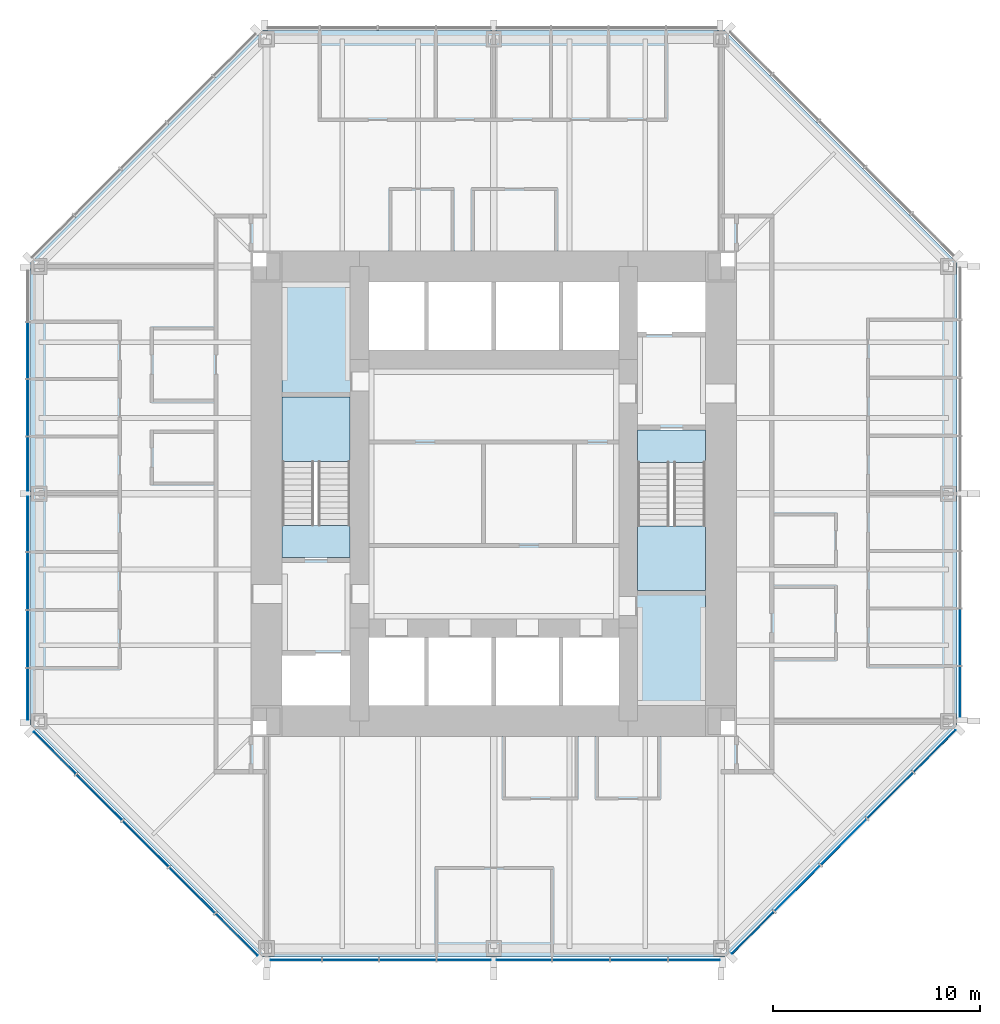
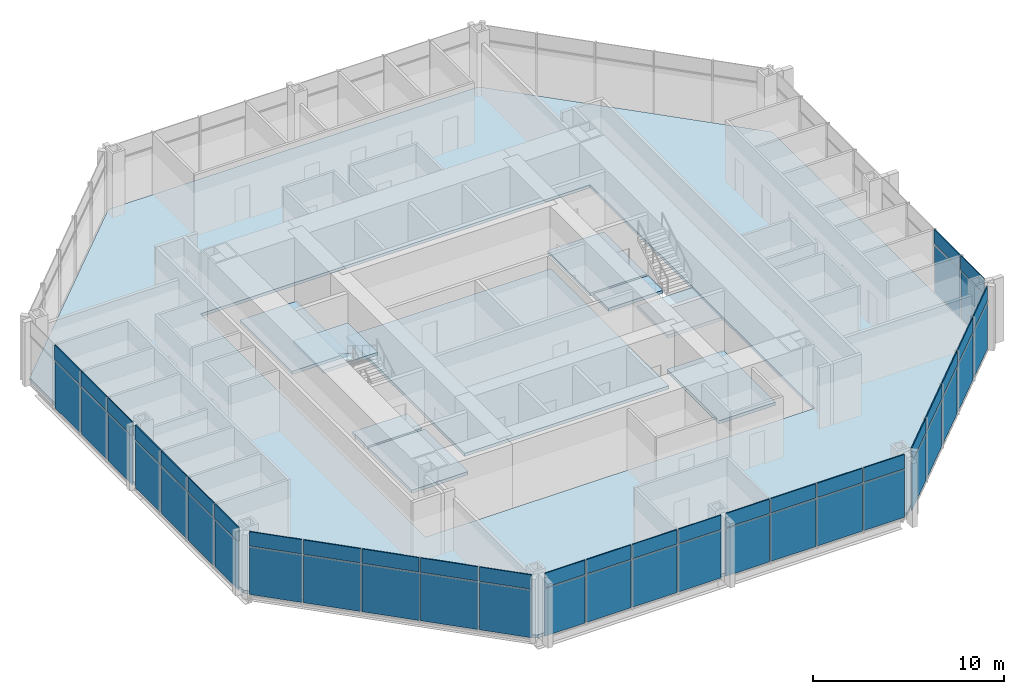
# One storey, part 7 of 14: 54 plates, 10 slabs, 7 elements without a shape of their own.
"""IFC4 building model written with IfcOpenShell, lengths in metres."""

from ifc_helpers import new_model, si_unit, direction, frame, origin, origin_2d, place, context, subcontext, project, spatial, polyline, rectangle, outline, extrude, material, layer, layer_set, type_object, element, aggregate, save


model = new_model("IFC4")

# Units and contexts
model_context = context("Model", 3, precision=1e-05, world=origin(), true_north=direction((0.0, 1.0)))
body_context = subcontext(model_context, "Body", "Model", "MODEL_VIEW")
ifc_project = project(units=[si_unit("LENGTHUNIT", "METRE"), si_unit("AREAUNIT", "SQUARE_METRE"), si_unit("VOLUMEUNIT", "CUBIC_METRE"), si_unit("PLANEANGLEUNIT", "RADIAN"), si_unit("MASSUNIT", "GRAM", prefix="KILO")], contexts=[model_context])

# Site, building, storey
site_placement = place(None, origin())
site = spatial("IfcSite", under=ifc_project, at=site_placement, CompositionType="ELEMENT")
building_placement = place(site_placement, origin())
building = spatial("IfcBuilding", under=site, at=building_placement, Name="Trevanion Tower", CompositionType="ELEMENT")
storey_placement = place(building_placement, frame((0.0, 0.0, 104.89990234375)))
storey = spatial("IfcBuildingStorey", under=building, at=storey_placement, Name="L24", CompositionType="ELEMENT", Elevation=104.89990234375)

# Curtain wall, plates
ifc_material_1 = material(Name="Aluminium and glass", Category="aluminium")
curtain_wall_type = type_object("IfcCurtainWallType", Name="CW2 curtain wall", PredefinedType="USERDEFINED", material=ifc_material_1)
curtain_wall_1_placement = place(storey_placement, origin())
curtain_wall_1 = element("IfcCurtainWall", 1, at=curtain_wall_1_placement, inside=storey, type_object=curtain_wall_type, Name="CW2 L24 0", ObjectType="UNITISED CURTAIN WALL", PredefinedType="USERDEFINED")
ifc_material_2 = material(Name="Aluminium spandrel panel", Category="aluminium")
ifc_layer_1 = layer(ifc_material_2, 0.06005859375)
ifc_layer_set_1 = layer_set([ifc_layer_1], Name="CW2 spandrel panel")
plate_type_1 = type_object("IfcPlateType", Name="CW2 spandrel panel", PredefinedType="CURTAIN_PANEL", material=ifc_layer_set_1)
plate_1_placement = place(storey_placement, frame((22.550048828125, -9.579345703125, 2.99755859375), z_axis=(0.0, 0.0, 1.0), x_axis=(0.0, 1.0, 0.0)))
plate_1 = element("IfcPlate", 2, at=plate_1_placement, type_object=plate_type_1, Name="CW2 panel 1.2", PredefinedType="CURTAIN_PANEL", context=body_context, shape_type="SweptSolid", body=[
    extrude(rectangle(XDim=2.43701171875, YDim=0.06005859375, at=origin_2d()), origin(), (0.0, 0.0, 1.0), 0.91259765625),
])
plate_2_placement = place(storey_placement, frame((22.550048828125, -6.93603515625, 2.99755859375), z_axis=(0.0, 0.0, 1.0), x_axis=(0.0, 1.0, 0.0)))
plate_2 = element("IfcPlate", 3, at=plate_2_placement, type_object=plate_type_1, Name="CW2 panel 2.2", PredefinedType="CURTAIN_PANEL", context=body_context, shape_type="SweptSolid", body=[
    extrude(rectangle(XDim=2.699462890625, YDim=0.06005859375, at=origin_2d()), origin(), (0.0, 0.0, 1.0), 0.91259765625),
])

curtain_wall_2_placement = place(storey_placement, origin())
curtain_wall_2 = element("IfcCurtainWall", 4, at=curtain_wall_2_placement, inside=storey, type_object=curtain_wall_type, Name="CW2 L24 4", ObjectType="UNITISED CURTAIN WALL", PredefinedType="USERDEFINED")
plate_3_placement = place(storey_placement, frame((-22.550048828125, 6.93603515625, 2.99755859375), z_axis=(0.0, 0.0, 1.0), x_axis=(0.0, -1.0, 0.0)))
plate_3 = element("IfcPlate", 5, at=plate_3_placement, type_object=plate_type_1, Name="CW2 panel 2.2", PredefinedType="CURTAIN_PANEL", context=body_context, shape_type="SweptSolid", body=[
    extrude(rectangle(XDim=2.699462890625, YDim=0.06005859375, at=origin_2d()), origin(), (0.0, 0.0, 1.0), 0.91259765625),
])
plate_4_placement = place(storey_placement, frame((-22.550048828125, 4.16162109375, 2.99755859375), z_axis=(0.0, 0.0, 1.0), x_axis=(0.0, -1.0, 0.0)))
plate_4 = element("IfcPlate", 6, at=plate_4_placement, type_object=plate_type_1, Name="CW2 panel 3.2", PredefinedType="CURTAIN_PANEL", context=body_context, shape_type="SweptSolid", body=[
    extrude(rectangle(XDim=2.699462890625, YDim=0.06005859375, at=origin_2d()), origin(), (0.0, 0.0, 1.0), 0.91259765625),
])
plate_5_placement = place(storey_placement, frame((-22.550048828125, 1.443603515625, 2.99755859375), z_axis=(0.0, 0.0, 1.0), x_axis=(0.0, -1.0, 0.0)))
plate_5 = element("IfcPlate", 7, at=plate_5_placement, type_object=plate_type_1, Name="CW2 panel 4.2", PredefinedType="CURTAIN_PANEL", context=body_context, shape_type="SweptSolid", body=[
    extrude(rectangle(XDim=2.5869140625, YDim=0.06005859375, at=origin_2d()), origin(), (0.0, 0.0, 1.0), 0.91259765625),
])
plate_6_placement = place(storey_placement, frame((-22.550048828125, -1.459716796875, 2.99755859375), z_axis=(0.0, 0.0, 1.0), x_axis=(0.0, -1.0, 0.0)))
plate_6 = element("IfcPlate", 8, at=plate_6_placement, type_object=plate_type_1, Name="CW2 panel 5.2", PredefinedType="CURTAIN_PANEL", context=body_context, shape_type="SweptSolid", body=[
    extrude(rectangle(XDim=2.619384765625, YDim=0.06005859375, at=origin_2d()), origin(), (0.0, 0.0, 1.0), 0.91259765625),
])
plate_7_placement = place(storey_placement, frame((-22.550048828125, -4.21044921875, 2.99755859375), z_axis=(0.0, 0.0, 1.0), x_axis=(0.0, -1.0, 0.0)))
plate_7 = element("IfcPlate", 9, at=plate_7_placement, type_object=plate_type_1, Name="CW2 panel 6.2", PredefinedType="CURTAIN_PANEL", context=body_context, shape_type="SweptSolid", body=[
    extrude(rectangle(XDim=2.73193359375, YDim=0.06005859375, at=origin_2d()), origin(), (0.0, 0.0, 1.0), 0.91259765625),
])
plate_8_placement = place(storey_placement, frame((-22.550048828125, -7.017333984375, 2.99755859375), z_axis=(0.0, 0.0, 1.0), x_axis=(0.0, -1.0, 0.0)))
plate_8 = element("IfcPlate", 10, at=plate_8_placement, type_object=plate_type_1, Name="CW2 panel 7.2", PredefinedType="CURTAIN_PANEL", context=body_context, shape_type="SweptSolid", body=[
    extrude(rectangle(XDim=2.73193359375, YDim=0.06005859375, at=origin_2d()), origin(), (0.0, 0.0, 1.0), 0.91259765625),
])
plate_9_placement = place(storey_placement, frame((-22.550048828125, -9.693115234375, 2.99755859375), z_axis=(0.0, 0.0, 1.0), x_axis=(0.0, -1.0, 0.0)))
plate_9 = element("IfcPlate", 11, at=plate_9_placement, type_object=plate_type_1, Name="CW2 panel 8.2", PredefinedType="CURTAIN_PANEL", context=body_context, shape_type="SweptSolid", body=[
    extrude(rectangle(XDim=2.469482421875, YDim=0.06005859375, at=origin_2d()), origin(), (0.0, 0.0, 1.0), 0.91259765625),
])

curtain_wall_3_placement = place(storey_placement, origin())
curtain_wall_3 = element("IfcCurtainWall", 12, at=curtain_wall_3_placement, inside=storey, type_object=curtain_wall_type, Name="CW2 L24 5", ObjectType="UNITISED CURTAIN WALL", PredefinedType="USERDEFINED")
plate_10_placement = place(storey_placement, frame((-21.2421875, -12.53564453125, 2.99755859375), z_axis=(0.0, 0.0, 1.0), x_axis=(0.707106781187, -0.707106781187, 0.0)))
plate_10 = element("IfcPlate", 13, at=plate_10_placement, type_object=plate_type_1, Name="CW2 panel 1.2", PredefinedType="CURTAIN_PANEL", context=body_context, shape_type="SweptSolid", body=[
    extrude(rectangle(XDim=2.8388671875, YDim=0.06005859375, at=origin_2d()), origin(), (0.0, 0.0, 1.0), 0.91259765625),
])
plate_11_placement = place(storey_placement, frame((-19.089111328125, -14.688720703125, 2.99755859375), z_axis=(0.0, 0.0, 1.0), x_axis=(0.707106781187, -0.707106781187, 0.0)))
plate_11 = element("IfcPlate", 14, at=plate_11_placement, type_object=plate_type_1, Name="CW2 panel 2.2", PredefinedType="CURTAIN_PANEL", context=body_context, shape_type="SweptSolid", body=[
    extrude(rectangle(XDim=3.101318359375, YDim=0.06005859375, at=origin_2d()), origin(), (0.0, 0.0, 1.0), 0.91259765625),
])
plate_12_placement = place(storey_placement, frame((-16.843017578125, -16.934814453125, 2.99755859375), z_axis=(0.0, 0.0, 1.0), x_axis=(0.707106781187, -0.707106781187, 0.0)))
plate_12 = element("IfcPlate", 15, at=plate_12_placement, type_object=plate_type_1, Name="CW2 panel 3.2", PredefinedType="CURTAIN_PANEL", context=body_context, shape_type="SweptSolid", body=[
    extrude(rectangle(XDim=3.101318359375, YDim=0.06005859375, at=origin_2d()), origin(), (0.0, 0.0, 1.0), 0.91259765625),
])
plate_13_placement = place(storey_placement, frame((-14.596923828125, -19.180908203125, 2.99755859375), z_axis=(0.0, 0.0, 1.0), x_axis=(0.707106781187, -0.707106781187, 0.0)))
plate_13 = element("IfcPlate", 16, at=plate_13_placement, type_object=plate_type_1, Name="CW2 panel 4.2", PredefinedType="CURTAIN_PANEL", context=body_context, shape_type="SweptSolid", body=[
    extrude(rectangle(XDim=3.101318359375, YDim=0.06005859375, at=origin_2d()), origin(), (0.0, 0.0, 1.0), 0.91259765625),
])
plate_14_placement = place(storey_placement, frame((-12.443603515625, -21.334228515625, 2.99755859375), z_axis=(0.0, 0.0, 1.0), x_axis=(0.707106781187, -0.707106781187, 0.0)))
plate_14 = element("IfcPlate", 17, at=plate_14_placement, type_object=plate_type_1, Name="CW2 panel 5.2", PredefinedType="CURTAIN_PANEL", context=body_context, shape_type="SweptSolid", body=[
    extrude(rectangle(XDim=2.8388671875, YDim=0.06005859375, at=origin_2d()), origin(), (0.0, 0.0, 1.0), 0.91259765625),
])

curtain_wall_4_placement = place(storey_placement, origin())
curtain_wall_4 = element("IfcCurtainWall", 18, at=curtain_wall_4_placement, inside=storey, type_object=curtain_wall_type, Name="CW2 L24 6", ObjectType="UNITISED CURTAIN WALL", PredefinedType="USERDEFINED")
plate_15_placement = place(storey_placement, frame((-9.579345703125, -22.550048828125, 2.99755859375), z_axis=(0.0, 0.0, 1.0), x_axis=(1.0, 0.0, 0.0)))
plate_15 = element("IfcPlate", 19, at=plate_15_placement, type_object=plate_type_1, Name="CW2 panel 1.2", PredefinedType="CURTAIN_PANEL", context=body_context, shape_type="SweptSolid", body=[
    extrude(rectangle(XDim=2.43701171875, YDim=0.06005859375, at=origin_2d()), origin(), (0.0, 0.0, 1.0), 0.91259765625),
])
plate_16_placement = place(storey_placement, frame((-6.93603515625, -22.550048828125, 2.99755859375), z_axis=(0.0, 0.0, 1.0), x_axis=(1.0, 0.0, 0.0)))
plate_16 = element("IfcPlate", 20, at=plate_16_placement, type_object=plate_type_1, Name="CW2 panel 2.2", PredefinedType="CURTAIN_PANEL", context=body_context, shape_type="SweptSolid", body=[
    extrude(rectangle(XDim=2.699462890625, YDim=0.06005859375, at=origin_2d()), origin(), (0.0, 0.0, 1.0), 0.91259765625),
])
plate_17_placement = place(storey_placement, frame((-4.16162109375, -22.550048828125, 2.99755859375), z_axis=(0.0, 0.0, 1.0), x_axis=(1.0, 0.0, 0.0)))
plate_17 = element("IfcPlate", 21, at=plate_17_placement, type_object=plate_type_1, Name="CW2 panel 3.2", PredefinedType="CURTAIN_PANEL", context=body_context, shape_type="SweptSolid", body=[
    extrude(rectangle(XDim=2.699462890625, YDim=0.06005859375, at=origin_2d()), origin(), (0.0, 0.0, 1.0), 0.91259765625),
])
plate_18_placement = place(storey_placement, frame((-1.443603515625, -22.550048828125, 2.99755859375), z_axis=(0.0, 0.0, 1.0), x_axis=(1.0, 0.0, 0.0)))
plate_18 = element("IfcPlate", 22, at=plate_18_placement, type_object=plate_type_1, Name="CW2 panel 4.2", PredefinedType="CURTAIN_PANEL", context=body_context, shape_type="SweptSolid", body=[
    extrude(rectangle(XDim=2.5869140625, YDim=0.06005859375, at=origin_2d()), origin(), (0.0, 0.0, 1.0), 0.91259765625),
])
plate_19_placement = place(storey_placement, frame((1.459716796875, -22.550048828125, 2.99755859375), z_axis=(0.0, 0.0, 1.0), x_axis=(1.0, 0.0, 0.0)))
plate_19 = element("IfcPlate", 23, at=plate_19_placement, type_object=plate_type_1, Name="CW2 panel 5.2", PredefinedType="CURTAIN_PANEL", context=body_context, shape_type="SweptSolid", body=[
    extrude(rectangle(XDim=2.619384765625, YDim=0.06005859375, at=origin_2d()), origin(), (0.0, 0.0, 1.0), 0.91259765625),
])
plate_20_placement = place(storey_placement, frame((4.21044921875, -22.550048828125, 2.99755859375), z_axis=(0.0, 0.0, 1.0), x_axis=(1.0, 0.0, 0.0)))
plate_20 = element("IfcPlate", 24, at=plate_20_placement, type_object=plate_type_1, Name="CW2 panel 6.2", PredefinedType="CURTAIN_PANEL", context=body_context, shape_type="SweptSolid", body=[
    extrude(rectangle(XDim=2.73193359375, YDim=0.06005859375, at=origin_2d()), origin(), (0.0, 0.0, 1.0), 0.91259765625),
])
plate_21_placement = place(storey_placement, frame((7.017333984375, -22.550048828125, 2.99755859375), z_axis=(0.0, 0.0, 1.0), x_axis=(1.0, 0.0, 0.0)))
plate_21 = element("IfcPlate", 25, at=plate_21_placement, type_object=plate_type_1, Name="CW2 panel 7.2", PredefinedType="CURTAIN_PANEL", context=body_context, shape_type="SweptSolid", body=[
    extrude(rectangle(XDim=2.73193359375, YDim=0.06005859375, at=origin_2d()), origin(), (0.0, 0.0, 1.0), 0.91259765625),
])
plate_22_placement = place(storey_placement, frame((9.693115234375, -22.550048828125, 2.99755859375), z_axis=(0.0, 0.0, 1.0), x_axis=(1.0, 0.0, 0.0)))
plate_22 = element("IfcPlate", 26, at=plate_22_placement, type_object=plate_type_1, Name="CW2 panel 8.2", PredefinedType="CURTAIN_PANEL", context=body_context, shape_type="SweptSolid", body=[
    extrude(rectangle(XDim=2.469482421875, YDim=0.06005859375, at=origin_2d()), origin(), (0.0, 0.0, 1.0), 0.91259765625),
])

curtain_wall_5_placement = place(storey_placement, origin())
curtain_wall_5 = element("IfcCurtainWall", 27, at=curtain_wall_5_placement, inside=storey, type_object=curtain_wall_type, Name="CW2 L24 7", ObjectType="UNITISED CURTAIN WALL", PredefinedType="USERDEFINED")
plate_23_placement = place(storey_placement, frame((12.53564453125, -21.2421875, 2.99755859375), z_axis=(0.0, 0.0, 1.0), x_axis=(0.707106781187, 0.707106781187, 0.0)))
plate_23 = element("IfcPlate", 28, at=plate_23_placement, type_object=plate_type_1, Name="CW2 panel 1.2", PredefinedType="CURTAIN_PANEL", context=body_context, shape_type="SweptSolid", body=[
    extrude(rectangle(XDim=2.8388671875, YDim=0.06005859375, at=origin_2d()), origin(), (0.0, 0.0, 1.0), 0.91259765625),
])
plate_24_placement = place(storey_placement, frame((14.688720703125, -19.089111328125, 2.99755859375), z_axis=(0.0, 0.0, 1.0), x_axis=(0.707106781187, 0.707106781187, 0.0)))
plate_24 = element("IfcPlate", 29, at=plate_24_placement, type_object=plate_type_1, Name="CW2 panel 2.2", PredefinedType="CURTAIN_PANEL", context=body_context, shape_type="SweptSolid", body=[
    extrude(rectangle(XDim=3.101318359375, YDim=0.06005859375, at=origin_2d()), origin(), (0.0, 0.0, 1.0), 0.91259765625),
])
plate_25_placement = place(storey_placement, frame((16.934814453125, -16.843017578125, 2.99755859375), z_axis=(0.0, 0.0, 1.0), x_axis=(0.707106781187, 0.707106781187, 0.0)))
plate_25 = element("IfcPlate", 30, at=plate_25_placement, type_object=plate_type_1, Name="CW2 panel 3.2", PredefinedType="CURTAIN_PANEL", context=body_context, shape_type="SweptSolid", body=[
    extrude(rectangle(XDim=3.101318359375, YDim=0.06005859375, at=origin_2d()), origin(), (0.0, 0.0, 1.0), 0.91259765625),
])
plate_26_placement = place(storey_placement, frame((19.180908203125, -14.596923828125, 2.99755859375), z_axis=(0.0, 0.0, 1.0), x_axis=(0.707106781187, 0.707106781187, 0.0)))
plate_26 = element("IfcPlate", 31, at=plate_26_placement, type_object=plate_type_1, Name="CW2 panel 4.2", PredefinedType="CURTAIN_PANEL", context=body_context, shape_type="SweptSolid", body=[
    extrude(rectangle(XDim=3.101318359375, YDim=0.06005859375, at=origin_2d()), origin(), (0.0, 0.0, 1.0), 0.91259765625),
])
plate_27_placement = place(storey_placement, frame((21.334228515625, -12.443603515625, 2.99755859375), z_axis=(0.0, 0.0, 1.0), x_axis=(0.707106781187, 0.707106781187, 0.0)))
plate_27 = element("IfcPlate", 32, at=plate_27_placement, type_object=plate_type_1, Name="CW2 panel 5.2", PredefinedType="CURTAIN_PANEL", context=body_context, shape_type="SweptSolid", body=[
    extrude(rectangle(XDim=2.8388671875, YDim=0.06005859375, at=origin_2d()), origin(), (0.0, 0.0, 1.0), 0.91259765625),
])

# Plate
ifc_material_3 = material(Name="Insulating glass unit", Category="glass")
ifc_layer_2 = layer(ifc_material_3, 0.028076171875)
ifc_layer_set_2 = layer_set([ifc_layer_2], Name="CW2 vision panel")
plate_type_2 = type_object("IfcPlateType", Name="CW2 vision panel", PredefinedType="CURTAIN_PANEL", material=ifc_layer_set_2)
plate_28_placement = place(storey_placement, frame((22.550048828125, -9.579345703125, -0.114990234375), z_axis=(0.0, 0.0, 1.0), x_axis=(0.0, 1.0, 0.0)))
plate_28 = element("IfcPlate", 33, at=plate_28_placement, type_object=plate_type_2, Name="CW2 panel 1.1", PredefinedType="CURTAIN_PANEL", context=body_context, shape_type="SweptSolid", body=[
    extrude(rectangle(XDim=2.43701171875, YDim=0.028076171875, at=origin_2d()), origin(), (0.0, 0.0, 1.0), 3.03759765625),
])

plate_29_placement = place(storey_placement, frame((22.550048828125, -6.93603515625, -0.114990234375), z_axis=(0.0, 0.0, 1.0), x_axis=(0.0, 1.0, 0.0)))
plate_29 = element("IfcPlate", 34, at=plate_29_placement, type_object=plate_type_2, Name="CW2 panel 2.1", PredefinedType="CURTAIN_PANEL", context=body_context, shape_type="SweptSolid", body=[
    extrude(rectangle(XDim=2.699462890625, YDim=0.028076171875, at=origin_2d()), origin(), (0.0, 0.0, 1.0), 3.03759765625),
])

aggregate(curtain_wall_1, [plate_28, plate_1, plate_29, plate_2])

plate_30_placement = place(storey_placement, frame((-22.550048828125, 6.93603515625, -0.114990234375), z_axis=(0.0, 0.0, 1.0), x_axis=(0.0, -1.0, 0.0)))
plate_30 = element("IfcPlate", 35, at=plate_30_placement, type_object=plate_type_2, Name="CW2 panel 2.1", PredefinedType="CURTAIN_PANEL", context=body_context, shape_type="SweptSolid", body=[
    extrude(rectangle(XDim=2.699462890625, YDim=0.028076171875, at=origin_2d()), origin(), (0.0, 0.0, 1.0), 3.03759765625),
])

plate_31_placement = place(storey_placement, frame((-22.550048828125, 4.16162109375, -0.114990234375), z_axis=(0.0, 0.0, 1.0), x_axis=(0.0, -1.0, 0.0)))
plate_31 = element("IfcPlate", 36, at=plate_31_placement, type_object=plate_type_2, Name="CW2 panel 3.1", PredefinedType="CURTAIN_PANEL", context=body_context, shape_type="SweptSolid", body=[
    extrude(rectangle(XDim=2.699462890625, YDim=0.028076171875, at=origin_2d()), origin(), (0.0, 0.0, 1.0), 3.03759765625),
])

plate_32_placement = place(storey_placement, frame((-22.550048828125, 1.443603515625, -0.114990234375), z_axis=(0.0, 0.0, 1.0), x_axis=(0.0, -1.0, 0.0)))
plate_32 = element("IfcPlate", 37, at=plate_32_placement, type_object=plate_type_2, Name="CW2 panel 4.1", PredefinedType="CURTAIN_PANEL", context=body_context, shape_type="SweptSolid", body=[
    extrude(rectangle(XDim=2.5869140625, YDim=0.028076171875, at=origin_2d()), origin(), (0.0, 0.0, 1.0), 3.03759765625),
])

plate_33_placement = place(storey_placement, frame((-22.550048828125, -1.459716796875, -0.114990234375), z_axis=(0.0, 0.0, 1.0), x_axis=(0.0, -1.0, 0.0)))
plate_33 = element("IfcPlate", 38, at=plate_33_placement, type_object=plate_type_2, Name="CW2 panel 5.1", PredefinedType="CURTAIN_PANEL", context=body_context, shape_type="SweptSolid", body=[
    extrude(rectangle(XDim=2.619384765625, YDim=0.028076171875, at=origin_2d()), origin(), (0.0, 0.0, 1.0), 3.03759765625),
])

plate_34_placement = place(storey_placement, frame((-22.550048828125, -4.21044921875, -0.114990234375), z_axis=(0.0, 0.0, 1.0), x_axis=(0.0, -1.0, 0.0)))
plate_34 = element("IfcPlate", 39, at=plate_34_placement, type_object=plate_type_2, Name="CW2 panel 6.1", PredefinedType="CURTAIN_PANEL", context=body_context, shape_type="SweptSolid", body=[
    extrude(rectangle(XDim=2.73193359375, YDim=0.028076171875, at=origin_2d()), origin(), (0.0, 0.0, 1.0), 3.03759765625),
])

plate_35_placement = place(storey_placement, frame((-22.550048828125, -7.017333984375, -0.114990234375), z_axis=(0.0, 0.0, 1.0), x_axis=(0.0, -1.0, 0.0)))
plate_35 = element("IfcPlate", 40, at=plate_35_placement, type_object=plate_type_2, Name="CW2 panel 7.1", PredefinedType="CURTAIN_PANEL", context=body_context, shape_type="SweptSolid", body=[
    extrude(rectangle(XDim=2.73193359375, YDim=0.028076171875, at=origin_2d()), origin(), (0.0, 0.0, 1.0), 3.03759765625),
])

plate_36_placement = place(storey_placement, frame((-22.550048828125, -9.693115234375, -0.114990234375), z_axis=(0.0, 0.0, 1.0), x_axis=(0.0, -1.0, 0.0)))
plate_36 = element("IfcPlate", 41, at=plate_36_placement, type_object=plate_type_2, Name="CW2 panel 8.1", PredefinedType="CURTAIN_PANEL", context=body_context, shape_type="SweptSolid", body=[
    extrude(rectangle(XDim=2.469482421875, YDim=0.028076171875, at=origin_2d()), origin(), (0.0, 0.0, 1.0), 3.03759765625),
])

aggregate(curtain_wall_2, [plate_30, plate_3, plate_31, plate_4, plate_32, plate_5, plate_33, plate_6, plate_34, plate_7, plate_35, plate_8, plate_36, plate_9])

plate_37_placement = place(storey_placement, frame((-21.2421875, -12.53564453125, -0.114990234375), z_axis=(0.0, 0.0, 1.0), x_axis=(0.707106781187, -0.707106781187, 0.0)))
plate_37 = element("IfcPlate", 42, at=plate_37_placement, type_object=plate_type_2, Name="CW2 panel 1.1", PredefinedType="CURTAIN_PANEL", context=body_context, shape_type="SweptSolid", body=[
    extrude(rectangle(XDim=2.8388671875, YDim=0.028076171875, at=origin_2d()), origin(), (0.0, 0.0, 1.0), 3.03759765625),
])

plate_38_placement = place(storey_placement, frame((-19.089111328125, -14.688720703125, -0.114990234375), z_axis=(0.0, 0.0, 1.0), x_axis=(0.707106781187, -0.707106781187, 0.0)))
plate_38 = element("IfcPlate", 43, at=plate_38_placement, type_object=plate_type_2, Name="CW2 panel 2.1", PredefinedType="CURTAIN_PANEL", context=body_context, shape_type="SweptSolid", body=[
    extrude(rectangle(XDim=3.101318359375, YDim=0.028076171875, at=origin_2d()), origin(), (0.0, 0.0, 1.0), 3.03759765625),
])

plate_39_placement = place(storey_placement, frame((-16.843017578125, -16.934814453125, -0.114990234375), z_axis=(0.0, 0.0, 1.0), x_axis=(0.707106781187, -0.707106781187, 0.0)))
plate_39 = element("IfcPlate", 44, at=plate_39_placement, type_object=plate_type_2, Name="CW2 panel 3.1", PredefinedType="CURTAIN_PANEL", context=body_context, shape_type="SweptSolid", body=[
    extrude(rectangle(XDim=3.101318359375, YDim=0.028076171875, at=origin_2d()), origin(), (0.0, 0.0, 1.0), 3.03759765625),
])

plate_40_placement = place(storey_placement, frame((-14.596923828125, -19.180908203125, -0.114990234375), z_axis=(0.0, 0.0, 1.0), x_axis=(0.707106781187, -0.707106781187, 0.0)))
plate_40 = element("IfcPlate", 45, at=plate_40_placement, type_object=plate_type_2, Name="CW2 panel 4.1", PredefinedType="CURTAIN_PANEL", context=body_context, shape_type="SweptSolid", body=[
    extrude(rectangle(XDim=3.101318359375, YDim=0.028076171875, at=origin_2d()), origin(), (0.0, 0.0, 1.0), 3.03759765625),
])

plate_41_placement = place(storey_placement, frame((-12.443603515625, -21.334228515625, -0.114990234375), z_axis=(0.0, 0.0, 1.0), x_axis=(0.707106781187, -0.707106781187, 0.0)))
plate_41 = element("IfcPlate", 46, at=plate_41_placement, type_object=plate_type_2, Name="CW2 panel 5.1", PredefinedType="CURTAIN_PANEL", context=body_context, shape_type="SweptSolid", body=[
    extrude(rectangle(XDim=2.8388671875, YDim=0.028076171875, at=origin_2d()), origin(), (0.0, 0.0, 1.0), 3.03759765625),
])

aggregate(curtain_wall_3, [plate_37, plate_10, plate_38, plate_11, plate_39, plate_12, plate_40, plate_13, plate_41, plate_14])

plate_42_placement = place(storey_placement, frame((-9.579345703125, -22.550048828125, -0.114990234375), z_axis=(0.0, 0.0, 1.0), x_axis=(1.0, 0.0, 0.0)))
plate_42 = element("IfcPlate", 47, at=plate_42_placement, type_object=plate_type_2, Name="CW2 panel 1.1", PredefinedType="CURTAIN_PANEL", context=body_context, shape_type="SweptSolid", body=[
    extrude(rectangle(XDim=2.43701171875, YDim=0.028076171875, at=origin_2d()), origin(), (0.0, 0.0, 1.0), 3.03759765625),
])

plate_43_placement = place(storey_placement, frame((-6.93603515625, -22.550048828125, -0.114990234375), z_axis=(0.0, 0.0, 1.0), x_axis=(1.0, 0.0, 0.0)))
plate_43 = element("IfcPlate", 48, at=plate_43_placement, type_object=plate_type_2, Name="CW2 panel 2.1", PredefinedType="CURTAIN_PANEL", context=body_context, shape_type="SweptSolid", body=[
    extrude(rectangle(XDim=2.699462890625, YDim=0.028076171875, at=origin_2d()), origin(), (0.0, 0.0, 1.0), 3.03759765625),
])

plate_44_placement = place(storey_placement, frame((-4.16162109375, -22.550048828125, -0.114990234375), z_axis=(0.0, 0.0, 1.0), x_axis=(1.0, 0.0, 0.0)))
plate_44 = element("IfcPlate", 49, at=plate_44_placement, type_object=plate_type_2, Name="CW2 panel 3.1", PredefinedType="CURTAIN_PANEL", context=body_context, shape_type="SweptSolid", body=[
    extrude(rectangle(XDim=2.699462890625, YDim=0.028076171875, at=origin_2d()), origin(), (0.0, 0.0, 1.0), 3.03759765625),
])

plate_45_placement = place(storey_placement, frame((-1.443603515625, -22.550048828125, -0.114990234375), z_axis=(0.0, 0.0, 1.0), x_axis=(1.0, 0.0, 0.0)))
plate_45 = element("IfcPlate", 50, at=plate_45_placement, type_object=plate_type_2, Name="CW2 panel 4.1", PredefinedType="CURTAIN_PANEL", context=body_context, shape_type="SweptSolid", body=[
    extrude(rectangle(XDim=2.5869140625, YDim=0.028076171875, at=origin_2d()), origin(), (0.0, 0.0, 1.0), 3.03759765625),
])

plate_46_placement = place(storey_placement, frame((1.459716796875, -22.550048828125, -0.114990234375), z_axis=(0.0, 0.0, 1.0), x_axis=(1.0, 0.0, 0.0)))
plate_46 = element("IfcPlate", 51, at=plate_46_placement, type_object=plate_type_2, Name="CW2 panel 5.1", PredefinedType="CURTAIN_PANEL", context=body_context, shape_type="SweptSolid", body=[
    extrude(rectangle(XDim=2.619384765625, YDim=0.028076171875, at=origin_2d()), origin(), (0.0, 0.0, 1.0), 3.03759765625),
])

plate_47_placement = place(storey_placement, frame((4.21044921875, -22.550048828125, -0.114990234375), z_axis=(0.0, 0.0, 1.0), x_axis=(1.0, 0.0, 0.0)))
plate_47 = element("IfcPlate", 52, at=plate_47_placement, type_object=plate_type_2, Name="CW2 panel 6.1", PredefinedType="CURTAIN_PANEL", context=body_context, shape_type="SweptSolid", body=[
    extrude(rectangle(XDim=2.73193359375, YDim=0.028076171875, at=origin_2d()), origin(), (0.0, 0.0, 1.0), 3.03759765625),
])

plate_48_placement = place(storey_placement, frame((7.017333984375, -22.550048828125, -0.114990234375), z_axis=(0.0, 0.0, 1.0), x_axis=(1.0, 0.0, 0.0)))
plate_48 = element("IfcPlate", 53, at=plate_48_placement, type_object=plate_type_2, Name="CW2 panel 7.1", PredefinedType="CURTAIN_PANEL", context=body_context, shape_type="SweptSolid", body=[
    extrude(rectangle(XDim=2.73193359375, YDim=0.028076171875, at=origin_2d()), origin(), (0.0, 0.0, 1.0), 3.03759765625),
])

plate_49_placement = place(storey_placement, frame((9.693115234375, -22.550048828125, -0.114990234375), z_axis=(0.0, 0.0, 1.0), x_axis=(1.0, 0.0, 0.0)))
plate_49 = element("IfcPlate", 54, at=plate_49_placement, type_object=plate_type_2, Name="CW2 panel 8.1", PredefinedType="CURTAIN_PANEL", context=body_context, shape_type="SweptSolid", body=[
    extrude(rectangle(XDim=2.469482421875, YDim=0.028076171875, at=origin_2d()), origin(), (0.0, 0.0, 1.0), 3.03759765625),
])

aggregate(curtain_wall_4, [plate_42, plate_15, plate_43, plate_16, plate_44, plate_17, plate_45, plate_18, plate_46, plate_19, plate_47, plate_20, plate_48, plate_21, plate_49, plate_22])

plate_50_placement = place(storey_placement, frame((12.53564453125, -21.2421875, -0.114990234375), z_axis=(0.0, 0.0, 1.0), x_axis=(0.707106781187, 0.707106781187, 0.0)))
plate_50 = element("IfcPlate", 55, at=plate_50_placement, type_object=plate_type_2, Name="CW2 panel 1.1", PredefinedType="CURTAIN_PANEL", context=body_context, shape_type="SweptSolid", body=[
    extrude(rectangle(XDim=2.8388671875, YDim=0.028076171875, at=origin_2d()), origin(), (0.0, 0.0, 1.0), 3.03759765625),
])

plate_51_placement = place(storey_placement, frame((14.688720703125, -19.089111328125, -0.114990234375), z_axis=(0.0, 0.0, 1.0), x_axis=(0.707106781187, 0.707106781187, 0.0)))
plate_51 = element("IfcPlate", 56, at=plate_51_placement, type_object=plate_type_2, Name="CW2 panel 2.1", PredefinedType="CURTAIN_PANEL", context=body_context, shape_type="SweptSolid", body=[
    extrude(rectangle(XDim=3.101318359375, YDim=0.028076171875, at=origin_2d()), origin(), (0.0, 0.0, 1.0), 3.03759765625),
])

plate_52_placement = place(storey_placement, frame((16.934814453125, -16.843017578125, -0.114990234375), z_axis=(0.0, 0.0, 1.0), x_axis=(0.707106781187, 0.707106781187, 0.0)))
plate_52 = element("IfcPlate", 57, at=plate_52_placement, type_object=plate_type_2, Name="CW2 panel 3.1", PredefinedType="CURTAIN_PANEL", context=body_context, shape_type="SweptSolid", body=[
    extrude(rectangle(XDim=3.101318359375, YDim=0.028076171875, at=origin_2d()), origin(), (0.0, 0.0, 1.0), 3.03759765625),
])

plate_53_placement = place(storey_placement, frame((19.180908203125, -14.596923828125, -0.114990234375), z_axis=(0.0, 0.0, 1.0), x_axis=(0.707106781187, 0.707106781187, 0.0)))
plate_53 = element("IfcPlate", 58, at=plate_53_placement, type_object=plate_type_2, Name="CW2 panel 4.1", PredefinedType="CURTAIN_PANEL", context=body_context, shape_type="SweptSolid", body=[
    extrude(rectangle(XDim=3.101318359375, YDim=0.028076171875, at=origin_2d()), origin(), (0.0, 0.0, 1.0), 3.03759765625),
])

plate_54_placement = place(storey_placement, frame((21.334228515625, -12.443603515625, -0.114990234375), z_axis=(0.0, 0.0, 1.0), x_axis=(0.707106781187, 0.707106781187, 0.0)))
plate_54 = element("IfcPlate", 59, at=plate_54_placement, type_object=plate_type_2, Name="CW2 panel 5.1", PredefinedType="CURTAIN_PANEL", context=body_context, shape_type="SweptSolid", body=[
    extrude(rectangle(XDim=2.8388671875, YDim=0.028076171875, at=origin_2d()), origin(), (0.0, 0.0, 1.0), 3.03759765625),
])

aggregate(curtain_wall_5, [plate_50, plate_23, plate_51, plate_24, plate_52, plate_25, plate_53, plate_26, plate_54, plate_27])

# Slabs
ifc_material_4 = material(Name="Concrete 5,000 psi on composite metal deck", Category="concrete")
ifc_layer_3 = layer(ifc_material_4, 0.18994140625)
ifc_layer_set_3 = layer_set([ifc_layer_3], Name="SL1 composite floor 190")
slab_type_1 = type_object("IfcSlabType", Name="SL1 composite floor 190", PredefinedType="FLOOR", material=ifc_layer_set_3)
slab_1_placement = place(storey_placement, frame((0.0, 0.0, -0.18994140625)))
element("IfcSlab", 60, at=slab_1_placement, inside=storey, type_object=slab_type_1, Name="SL1 L24 floor", PredefinedType="FLOOR", context=body_context, shape_type="SweptSolid", body=[
    extrude(outline(polyline([(22.419921875, -11.174072265625), (22.419921875, 11.174072265625), (11.174072265625, 22.419921875), (-11.174072265625, 22.419921875), (-22.419921875, 11.174072265625), (-22.419921875, -11.174072265625), (-11.174072265625, -22.419921875), (11.174072265625, -22.419921875), (22.419921875, -11.174072265625)]), holes=[polyline([(11.75, -11.75), (11.75, 11.75), (-11.75, 11.75), (-11.75, -11.75), (11.75, -11.75)])]), origin(), (0.0, 0.0, 1.0), 0.18994140625),
])
ifc_material_5 = material(Name="Concrete 5,000 psi", Category="concrete")
ifc_layer_4 = layer(ifc_material_5, 0.199951171875)
ifc_layer_set_4 = layer_set([ifc_layer_4], Name="SL2 core floor 200")
slab_type_2 = type_object("IfcSlabType", Name="SL2 core floor 200", PredefinedType="FLOOR", material=ifc_layer_set_4)
slab_2_placement = place(storey_placement, frame((0.0, 0.0, -0.199951171875)))
element("IfcSlab", 61, at=slab_2_placement, inside=storey, type_object=slab_type_2, Name="SL2 L24 core floor 1", PredefinedType="FLOOR", context=body_context, shape_type="SweptSolid", body=[
    extrude(outline(polyline([(10.25, -4.804931640625), (10.25, -10.25), (6.830078125, -10.25), (6.830078125, -4.804931640625), (10.25, -4.804931640625)])), origin(), (0.0, 0.0, 1.0), 0.199951171875),
])
slab_3_placement = place(storey_placement, frame((0.0, 0.0, -0.199951171875)))
element("IfcSlab", 62, at=slab_3_placement, inside=storey, type_object=slab_type_2, Name="SL2 L24 core floor 2", PredefinedType="FLOOR", context=body_context, shape_type="SweptSolid", body=[
    extrude(outline(polyline([(-6.830078125, -3.205078125), (-6.830078125, -7.695068359375), (-10.25, -7.695068359375), (-10.25, -3.205078125), (-6.830078125, -3.205078125)])), origin(), (0.0, 0.0, 1.0), 0.199951171875),
])
slab_4_placement = place(storey_placement, frame((0.0, 0.0, -0.199951171875)))
element("IfcSlab", 63, at=slab_4_placement, inside=storey, type_object=slab_type_2, Name="SL2 L24 core floor 3", PredefinedType="FLOOR", context=body_context, shape_type="SweptSolid", body=[
    extrude(outline(polyline([(6.169921875, -6.169921875), (-6.169921875, -6.169921875), (-6.169921875, 6.169921875), (6.169921875, 6.169921875), (6.169921875, -6.169921875)])), origin(), (0.0, 0.0, 1.0), 0.199951171875),
])
slab_5_placement = place(storey_placement, frame((0.0, 0.0, -0.199951171875)))
element("IfcSlab", 64, at=slab_5_placement, inside=storey, type_object=slab_type_2, Name="SL2 L24 core floor 4", PredefinedType="FLOOR", context=body_context, shape_type="SweptSolid", body=[
    extrude(outline(polyline([(6.830078125, 3.205078125), (6.830078125, 7.695068359375), (10.25, 7.695068359375), (10.25, 3.205078125), (6.830078125, 3.205078125)])), origin(), (0.0, 0.0, 1.0), 0.199951171875),
])
slab_6_placement = place(storey_placement, frame((0.0, 0.0, -0.199951171875)))
element("IfcSlab", 65, at=slab_6_placement, inside=storey, type_object=slab_type_2, Name="SL2 L24 core floor 5", PredefinedType="FLOOR", context=body_context, shape_type="SweptSolid", body=[
    extrude(outline(polyline([(-6.830078125, 4.804931640625), (-10.25, 4.804931640625), (-10.25, 10.25), (-6.830078125, 10.25), (-6.830078125, 4.804931640625)])), origin(), (0.0, 0.0, 1.0), 0.199951171875),
])

# Stair, slabs
ifc_material_6 = material(Name="Concrete 5,000 psi on steel stringers", Category="concrete")
stair_type = type_object("IfcStairType", Name="ST stair", PredefinedType="HALF_TURN_STAIR", material=ifc_material_6)
stair_1_placement = place(storey_placement, origin())
stair_1 = element("IfcStair", 66, at=stair_1_placement, inside=storey, type_object=stair_type, Name="ST1 L24", PredefinedType="HALF_TURN_STAIR")
ifc_material_7 = material(Name="Concrete 5,000 psi in steel pan", Category="concrete")
ifc_layer_5 = layer(ifc_material_7, 0.199951171875)
ifc_layer_set_5 = layer_set([ifc_layer_5], Name="STL stair landing 200")
slab_type_3 = type_object("IfcSlabType", Name="STL stair landing 200", PredefinedType="LANDING", material=ifc_layer_set_5)
slab_7_placement = place(storey_placement, frame((0.0, 0.0, -0.199951171875)))
slab_7 = element("IfcSlab", 67, at=slab_7_placement, type_object=slab_type_3, Name="ST1 landing 1", PredefinedType="LANDING", context=body_context, shape_type="SweptSolid", body=[
    extrude(outline(polyline([(6.949951171875, 1.52490234375), (10.25, 1.52490234375), (10.25, 3.074951171875), (6.949951171875, 3.074951171875), (6.949951171875, 1.52490234375)])), origin(), (0.0, 0.0, 1.0), 0.199951171875),
])
slab_8_placement = place(storey_placement, frame((0.0, 0.0, 1.85009765625)))
slab_8 = element("IfcSlab", 68, at=slab_8_placement, type_object=slab_type_3, Name="ST1 landing 2", PredefinedType="LANDING", context=body_context, shape_type="SweptSolid", body=[
    extrude(outline(polyline([(6.949951171875, -4.675048828125), (10.25, -4.675048828125), (10.25, -1.554931640625), (6.949951171875, -1.554931640625), (6.949951171875, -4.675048828125)])), origin(), (0.0, 0.0, 1.0), 0.199951171875),
])
aggregate(stair_1, [slab_7, slab_8])

stair_2_placement = place(storey_placement, origin())
stair_2 = element("IfcStair", 69, at=stair_2_placement, inside=storey, type_object=stair_type, Name="ST2 L24", PredefinedType="HALF_TURN_STAIR")
slab_9_placement = place(storey_placement, frame((0.0, 0.0, -0.199951171875)))
slab_9 = element("IfcSlab", 70, at=slab_9_placement, type_object=slab_type_3, Name="ST2 landing 1", PredefinedType="LANDING", context=body_context, shape_type="SweptSolid", body=[
    extrude(outline(polyline([(-6.949951171875, -1.52490234375), (-10.25, -1.52490234375), (-10.25, -3.074951171875), (-6.949951171875, -3.074951171875), (-6.949951171875, -1.52490234375)])), origin(), (0.0, 0.0, 1.0), 0.199951171875),
])
slab_10_placement = place(storey_placement, frame((0.0, 0.0, 1.85009765625)))
slab_10 = element("IfcSlab", 71, at=slab_10_placement, type_object=slab_type_3, Name="ST2 landing 2", PredefinedType="LANDING", context=body_context, shape_type="SweptSolid", body=[
    extrude(outline(polyline([(-6.949951171875, 4.675048828125), (-10.25, 4.675048828125), (-10.25, 1.554931640625), (-6.949951171875, 1.554931640625), (-6.949951171875, 4.675048828125)])), origin(), (0.0, 0.0, 1.0), 0.199951171875),
])
aggregate(stair_2, [slab_9, slab_10])

save(model, "model.ifc")
